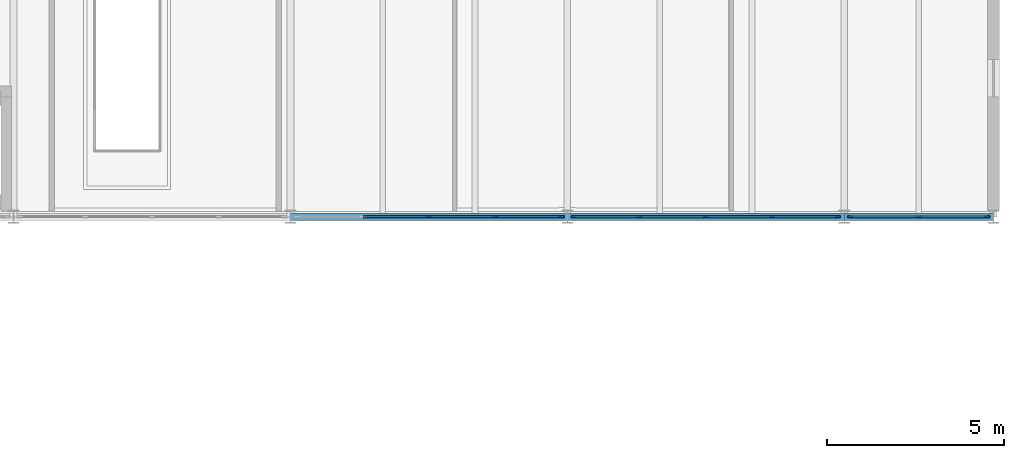
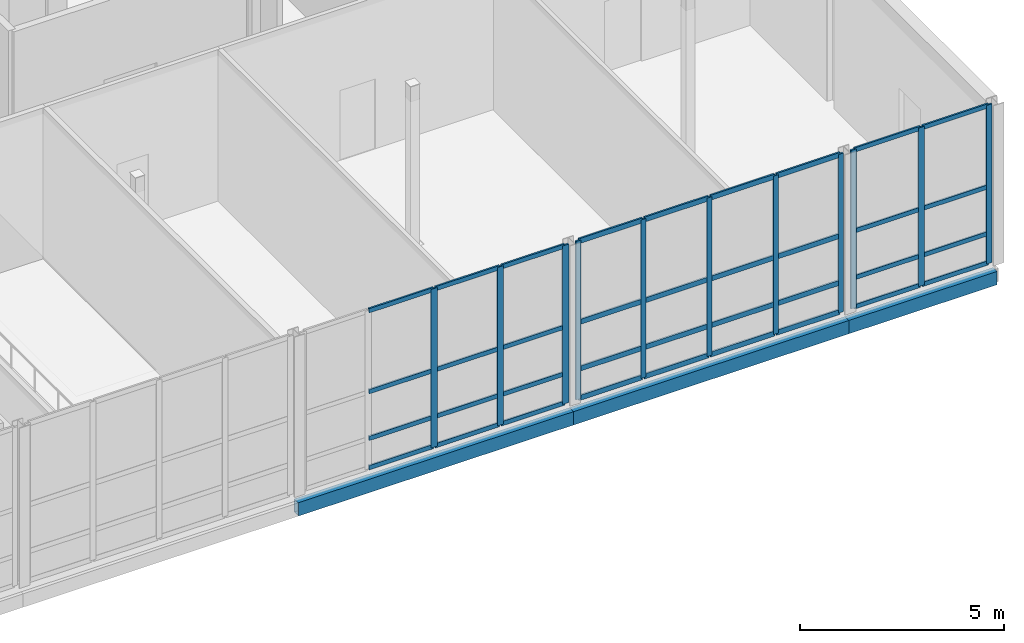
# One storey, part 64 of 138: 47 members, 3 beams, 3 elements without a shape of their own.
"""IFC4 building model written with IfcOpenShell, lengths in metres."""

import ifcopenshell
import ifcopenshell.guid

model = None  # the IFC model being written
_history = None  # IfcOwnerHistory: only IFC2X3 demands one
_inside = {}  # id of a spatial element -> (the spatial element, [elements in it])
_under = {}  # id of a project, library or spatial element -> (it, [spatial elements below it])
_declared = {}  # id of a project -> (the project, [libraries it declares])
_typed = {}  # id of a type object -> (the type object, [elements of that type])
_made_of = {}  # id of a material, layer set ... -> (it, [elements and type objects made of it])


def new_model(schema):
    """Start an empty IFC model of exactly this schema.

    Asked for "IFC4X3", IfcOpenShell would pick the latest addendum, in which some entities
    have other attributes; the version numbers below select the first issue.
    IFC2X3 requires an IfcOwnerHistory on every rooted entity: one is made here for all.
    """
    global model, _history
    if schema == "IFC4X3":
        model = ifcopenshell.file(schema_version=(4, 3, 0, 0))
    else:
        model = ifcopenshell.file(schema=schema)
    _inside.clear()
    _under.clear()
    _declared.clear()
    _typed.clear()
    _made_of.clear()
    _history = None
    if model.schema == "IFC2X3":
        org = make("IfcOrganization", Name="unknown")
        user = make(
            "IfcPersonAndOrganization",
            ThePerson=make("IfcPerson", FamilyName="unknown"),
            TheOrganization=org,
        )
        app = make(
            "IfcApplication",
            ApplicationDeveloper=org,
            Version="unknown",
            ApplicationFullName="unknown",
            ApplicationIdentifier="unknown",
        )
        _history = make(
            "IfcOwnerHistory",
            OwningUser=user,
            OwningApplication=app,
            ChangeAction="ADDED",
            CreationDate=0,
        )
    return model


def make(cls, **values):
    """One entity of the class cls with the attributes given. An attribute that is None is left unset."""
    return model.create_entity(
        cls, **{name: value for name, value in values.items() if value is not None}
    )


def rooted(cls, **values):
    """An entity with a GlobalId (a new one), such as an element, a storey or a relation."""
    return make(cls, GlobalId=ifcopenshell.guid.new(), OwnerHistory=_history, **values)


def si_unit(unit_type, name, prefix=None):
    """IfcSIUnit, for example si_unit("LENGTHUNIT", "METRE", prefix="MILLI")."""
    return make("IfcSIUnit", UnitType=unit_type, Prefix=prefix, Name=name)


def assignment(units):
    """IfcUnitAssignment: the units of a project."""
    return None if units is None else make("IfcUnitAssignment", Units=units)


def point(xyz):
    """IfcCartesianPoint."""
    return None if xyz is None else make("IfcCartesianPoint", Coordinates=xyz)


def direction(xyz):
    """IfcDirection."""
    return None if xyz is None else make("IfcDirection", DirectionRatios=xyz)


def frame(location, z_axis=None, x_axis=None):
    """IfcAxis2Placement3D, a coordinate frame: its origin and axes. An axis left out is left unset."""
    return make(
        "IfcAxis2Placement3D",
        Location=point(location),
        Axis=direction(z_axis),
        RefDirection=direction(x_axis),
    )


def frame_2d(location, x_axis=None):
    """IfcAxis2Placement2D, a coordinate frame in the plane: its origin and x axis."""
    return make(
        "IfcAxis2Placement2D", Location=point(location), RefDirection=direction(x_axis)
    )


def origin():
    """The frame at (0, 0, 0) with its axes left unset."""
    return frame((0.0, 0.0, 0.0))


def origin_2d():
    """The frame at (0, 0) in the plane with its x axis left unset."""
    return frame_2d((0.0, 0.0))


def place(relative_to, where):
    """IfcLocalPlacement: puts the frame where relative to a parent placement (None: the world)."""
    return make(
        "IfcLocalPlacement", PlacementRelTo=relative_to, RelativePlacement=where
    )


def context(
    kind, dimensions, precision=None, world=None, true_north=None, identifier=None
):
    """IfcGeometricRepresentationContext, for example the 3D "Model" context."""
    return make(
        "IfcGeometricRepresentationContext",
        ContextIdentifier=identifier,
        ContextType=kind,
        CoordinateSpaceDimension=dimensions,
        Precision=precision,
        WorldCoordinateSystem=world,
        TrueNorth=true_north,
    )


def subcontext(parent, identifier, kind, view, scale=None):
    """IfcGeometricRepresentationSubContext, for example "Body" below "Model"."""
    return make(
        "IfcGeometricRepresentationSubContext",
        ContextIdentifier=identifier,
        ContextType=kind,
        ParentContext=parent,
        TargetScale=scale,
        TargetView=view,
    )


def project(units=None, contexts=None):
    """IfcProject with its units and contexts."""
    return rooted(
        "IfcProject",
        Name="project",
        RepresentationContexts=contexts,
        UnitsInContext=assignment(units),
    )


def spatial(cls, under=None, at=None, **own):
    """A site, building, storey or space (cls), placed at a placement, below another one or the project."""
    s = rooted(cls, ObjectPlacement=at, **own)
    if under is not None:
        _under.setdefault(under.id(), (under, []))[1].append(s)
    return s


def profile(cls, at=None, kind="AREA", **sizes):
    """A parametric profile (cls). Its sizes go by their IFC names, for example OverallWidth=200.0."""
    return make(cls, ProfileType=kind, Position=at, **sizes)


def rectangle(**sizes):
    """IfcRectangleProfileDef."""
    return profile("IfcRectangleProfileDef", **sizes)


def hollow_rectangle(**sizes):
    """IfcRectangleHollowProfileDef."""
    return profile("IfcRectangleHollowProfileDef", **sizes)


def extrude(swept, where, along, depth):
    """IfcExtrudedAreaSolid: the profile swept, set in the frame where, extruded along a direction by depth."""
    return make(
        "IfcExtrudedAreaSolid",
        SweptArea=swept,
        Position=where,
        ExtrudedDirection=direction(along),
        Depth=depth,
    )


def shape(context_of_items, identifier, shape_type, items):
    """IfcShapeRepresentation: the items that make up one representation, for example the "Body"."""
    return make(
        "IfcShapeRepresentation",
        ContextOfItems=context_of_items,
        RepresentationIdentifier=identifier,
        RepresentationType=shape_type,
        Items=items,
    )


def material(Name=None, Category=None):
    """IfcMaterial."""
    return make("IfcMaterial", Name=Name, Category=Category)


def layer(
    of_material, thickness, ventilated=None, Name=None, Category=None, Priority=None
):
    """IfcMaterialLayer: one layer of a wall or slab, of a material (None: an air gap)."""
    return make(
        "IfcMaterialLayer",
        Material=of_material,
        LayerThickness=thickness,
        IsVentilated=ventilated,
        Name=Name,
        Category=Category,
        Priority=Priority,
    )


def layer_set(layers, Name=None):
    """IfcMaterialLayerSet."""
    return make("IfcMaterialLayerSet", MaterialLayers=layers, LayerSetName=Name)


def material_profile(
    of_material, cross_section, Name=None, Category=None, Priority=None
):
    """IfcMaterialProfile: a cross section and its material."""
    return make(
        "IfcMaterialProfile",
        Name=Name,
        Material=of_material,
        Profile=cross_section,
        Priority=Priority,
        Category=Category,
    )


def profile_set(profiles, Name=None, composite=None):
    """IfcMaterialProfileSet."""
    return make(
        "IfcMaterialProfileSet",
        Name=Name,
        MaterialProfiles=profiles,
        CompositeProfile=composite,
    )


def made_of(thing, what):
    """Note that an element or type object is made of a material, layer set ...; save() writes the relation."""
    if what is not None:
        _made_of.setdefault(what.id(), (what, []))[1].append(thing)
    return thing


def type_object(cls, material=None, **own):
    """A type object (cls), such as IfcWallType, which elements share."""
    return made_of(rooted(cls, **own), material)


def element(
    cls,
    number,
    at=None,
    inside=None,
    cuts=None,
    type_object=None,
    material=None,
    context=None,
    identifier="Body",
    shape_type=None,
    held_by="IfcProductDefinitionShape",
    body=None,
    shapes=None,
    **own,
):
    """One element of the class cls, such as IfcWall. Its Tag is "e" and its number.

    at: its placement. inside: the storey or other place that contains it. cuts: it is an
    opening in that element (IfcRelVoidsElement). A single representation is given by context,
    identifier, shape_type and body (its items); several are given by shapes. held_by: the class
    of the entity that holds the representations. save() writes the other relations.
    """
    e = rooted(cls, Tag="e%d" % number, ObjectPlacement=at, **own)
    if body is not None:
        shapes = [shape(context, identifier, shape_type, body)]
    if shapes is not None:
        e.Representation = make(held_by, Representations=shapes)
    if inside is not None:
        _inside.setdefault(inside.id(), (inside, []))[1].append(e)
    if cuts is not None:
        rooted(
            "IfcRelVoidsElement", RelatingBuildingElement=cuts, RelatedOpeningElement=e
        )
    if type_object is not None:
        _typed.setdefault(type_object.id(), (type_object, []))[1].append(e)
    return made_of(e, material)


def aggregate(whole, parts):
    """IfcRelAggregates: a whole, such as a stair, and the parts it consists of."""
    return rooted("IfcRelAggregates", RelatingObject=whole, RelatedObjects=parts)


def save(model, path):
    """Write the relations noted so far, then the file.

    IfcRelAggregates (storeys below a building ...), IfcRelContainedInSpatialStructure (elements
    in a storey), IfcRelDefinesByType, IfcRelAssociatesMaterial and IfcRelDeclares: one each for
    every whole, place, type object, material and project.
    """
    for whole, parts in _under.values():
        aggregate(whole, parts)
    for where, things in _inside.values():
        rooted(
            "IfcRelContainedInSpatialStructure",
            RelatedElements=things,
            RelatingStructure=where,
        )
    for kind, things in _typed.values():
        rooted("IfcRelDefinesByType", RelatedObjects=things, RelatingType=kind)
    for what, things in _made_of.values():
        rooted("IfcRelAssociatesMaterial", RelatedObjects=things, RelatingMaterial=what)
    for by, libraries in _declared.values():
        rooted("IfcRelDeclares", RelatingContext=by, RelatedDefinitions=libraries)
    model.write(path)


model = new_model("IFC4")

# Units and contexts
model_context = context("Model", 3, precision=1e-05, world=origin(), true_north=direction((0.0, 1.0)))
body_context = subcontext(model_context, "Body", "Model", "MODEL_VIEW")
ifc_project = project(units=[si_unit("LENGTHUNIT", "METRE"), si_unit("AREAUNIT", "SQUARE_METRE"), si_unit("VOLUMEUNIT", "CUBIC_METRE"), si_unit("PLANEANGLEUNIT", "RADIAN"), si_unit("MASSUNIT", "GRAM", prefix="KILO")], contexts=[model_context])

# Site, building, storey
site_placement = place(None, origin())
site = spatial("IfcSite", under=ifc_project, at=site_placement, CompositionType="ELEMENT")
building_placement = place(site_placement, origin())
building = spatial("IfcBuilding", under=site, at=building_placement, Name="Celorna Specialist Clinic", CompositionType="ELEMENT")
storey_placement = place(building_placement, frame((0.0, 0.0, 4.800048828125)))
storey = spatial("IfcBuildingStorey", under=building, at=storey_placement, Name="L01", CompositionType="ELEMENT", Elevation=4.800048828125)

# Beams
ifc_material_1 = material(Name="Steel S355", Category="steel")
ifc_material_profile_1 = material_profile(ifc_material_1, hollow_rectangle(XDim=0.199951171875, YDim=0.39990234375, WallThickness=0.011962890625, at=origin_2d()), Name="RHS 200x400x12")
ifc_profile_set_1 = profile_set([ifc_material_profile_1], Name="Steel S355")
beam_type = type_object("IfcBeamType", Name="BM-15", PredefinedType="SPANDREL", material=ifc_profile_set_1)
for number, where, z_axis, x_axis, name in (
    (1, (148.199951171875, 60.0, -0.4599609375), (1.0, 0.0, 0.0), (0.0, 1.0, 0.0), "Spandrel beam BM-15 #612"),
    (2, (156.0, 60.0, -0.4599609375), (1.0, 0.0, 0.0), (0.0, 1.0, 0.0), "Spandrel beam BM-15 #613"),
):
    element("IfcBeam", number, at=place(storey_placement, frame(where, z_axis=z_axis, x_axis=x_axis)), inside=storey, type_object=beam_type, Name=name, PredefinedType="SPANDREL", context=body_context, shape_type="SweptSolid", body=[
        extrude(hollow_rectangle(XDim=0.199951171875, YDim=0.39990234375, WallThickness=0.011962890625, at=origin_2d()), origin(), (0.0, 0.0, 1.0), 7.800048828125),
    ])
beam_placement = place(storey_placement, frame((163.800048828125, 60.0, -0.4599609375), z_axis=(1.0, 0.0, 0.0), x_axis=(0.0, 1.0, 0.0)))
element("IfcBeam", 3, at=beam_placement, inside=storey, type_object=beam_type, Name="Spandrel beam BM-15 #614", PredefinedType="SPANDREL", context=body_context, shape_type="SweptSolid", body=[
    extrude(hollow_rectangle(XDim=0.199951171875, YDim=0.39990234375, WallThickness=0.011962890625, at=origin_2d()), origin(), (0.0, 0.0, 1.0), 4.199951171875),
])

# Curtain wall, members
ifc_material_2 = material(Name="Thermally broken aluminium and solar-control glass curtain wall", Category="aluminium")
ifc_layer_1 = layer(ifc_material_2, 0.159912109375, Name="Thermally broken aluminium and solar-control glass curtain wall")
ifc_layer_set_1 = layer_set([ifc_layer_1], Name="Thermally broken aluminium and solar-control glass curtain wall")
curtain_wall_type_1 = type_object("IfcCurtainWallType", Name="CW-43", PredefinedType="NOTDEFINED", material=ifc_layer_set_1)
curtain_wall_1_placement = place(storey_placement, origin())
curtain_wall_1 = element("IfcCurtainWall", 4, at=curtain_wall_1_placement, inside=storey, type_object=curtain_wall_type_1, Name="Curtain wall CW-43 #79", PredefinedType="NOTDEFINED")
ifc_material_3 = material(Name="Anodized aluminium mullion", Category="aluminium")
ifc_material_profile_2 = material_profile(ifc_material_3, rectangle(XDim=0.050048828125, YDim=0.159912109375, at=origin_2d()), Name="ALU MULLION 50x160")
ifc_profile_set_2 = profile_set([ifc_material_profile_2], Name="Anodized aluminium mullion")
member_type_1 = type_object("IfcMemberType", Name="ML-01", PredefinedType="MULLION", material=ifc_profile_set_2)
member_1_placement = place(storey_placement, frame((167.821044921875, 60.0, 0.0), z_axis=(0.0, 0.0, 1.0), x_axis=(0.0, -1.0, 0.0)))
member_1 = element("IfcMember", 5, at=member_1_placement, type_object=member_type_1, Name="CW-43 mullion 1", PredefinedType="MULLION", context=body_context, shape_type="SweptSolid", body=[
    extrude(rectangle(XDim=0.050048828125, YDim=0.159912109375, at=origin_2d()), origin(), (0.0, 0.0, 1.0), 4.75),
])
member_2_placement = place(storey_placement, frame((165.89990234375, 60.0, 0.0), z_axis=(0.0, 0.0, 1.0), x_axis=(0.0, -1.0, 0.0)))
member_2 = element("IfcMember", 6, at=member_2_placement, type_object=member_type_1, Name="CW-43 mullion 2", PredefinedType="MULLION", context=body_context, shape_type="SweptSolid", body=[
    extrude(rectangle(XDim=0.050048828125, YDim=0.159912109375, at=origin_2d()), origin(), (0.0, 0.0, 1.0), 4.75),
])
member_3_placement = place(storey_placement, frame((163.97900390625, 60.0, 0.0), z_axis=(0.0, 0.0, 1.0), x_axis=(0.0, -1.0, 0.0)))
member_3 = element("IfcMember", 7, at=member_3_placement, type_object=member_type_1, Name="CW-43 mullion 3", PredefinedType="MULLION", context=body_context, shape_type="SweptSolid", body=[
    extrude(rectangle(XDim=0.050048828125, YDim=0.159912109375, at=origin_2d()), origin(), (0.0, 0.0, 1.0), 4.75),
])

ifc_layer_2 = layer(ifc_material_2, 0.159912109375, Name="Thermally broken aluminium and solar-control glass curtain wall")
ifc_layer_set_2 = layer_set([ifc_layer_2], Name="Thermally broken aluminium and solar-control glass curtain wall")
curtain_wall_type_2 = type_object("IfcCurtainWallType", Name="CW-42", PredefinedType="NOTDEFINED", material=ifc_layer_set_2)
curtain_wall_2_placement = place(storey_placement, origin())
curtain_wall_2 = element("IfcCurtainWall", 8, at=curtain_wall_2_placement, inside=storey, type_object=curtain_wall_type_2, Name="Curtain wall CW-42 #77", PredefinedType="NOTDEFINED")
ifc_material_profile_3 = material_profile(ifc_material_3, rectangle(XDim=0.050048828125, YDim=0.179931640625, at=origin_2d()), Name="ALU MULLION 50x180")
ifc_profile_set_3 = profile_set([ifc_material_profile_3], Name="Anodized aluminium mullion")
member_type_2 = type_object("IfcMemberType", Name="ML-02", PredefinedType="MULLION", material=ifc_profile_set_3)
member_4_placement = place(storey_placement, frame((155.821044921875, 60.0, 0.0), z_axis=(0.0, 0.0, 1.0), x_axis=(0.0, -1.0, 0.0)))
member_4 = element("IfcMember", 9, at=member_4_placement, type_object=member_type_2, Name="CW-42 mullion 1", PredefinedType="MULLION", context=body_context, shape_type="SweptSolid", body=[
    extrude(rectangle(XDim=0.050048828125, YDim=0.179931640625, at=origin_2d()), origin(), (0.0, 0.0, 1.0), 4.75),
])
member_5_placement = place(storey_placement, frame((153.972900390625, 60.0, 0.0), z_axis=(0.0, 0.0, 1.0), x_axis=(0.0, -1.0, 0.0)))
member_5 = element("IfcMember", 10, at=member_5_placement, type_object=member_type_2, Name="CW-42 mullion 2", PredefinedType="MULLION", context=body_context, shape_type="SweptSolid", body=[
    extrude(rectangle(XDim=0.050048828125, YDim=0.179931640625, at=origin_2d()), origin(), (0.0, 0.0, 1.0), 4.75),
])
member_6_placement = place(storey_placement, frame((152.10009765625, 60.0, 0.0), z_axis=(0.0, 0.0, 1.0), x_axis=(0.0, -1.0, 0.0)))
member_6 = element("IfcMember", 11, at=member_6_placement, type_object=member_type_2, Name="CW-42 mullion 3", PredefinedType="MULLION", context=body_context, shape_type="SweptSolid", body=[
    extrude(rectangle(XDim=0.050048828125, YDim=0.179931640625, at=origin_2d()), origin(), (0.0, 0.0, 1.0), 4.75),
])

ifc_layer_3 = layer(ifc_material_2, 0.159912109375, Name="Thermally broken aluminium and solar-control glass curtain wall")
ifc_layer_set_3 = layer_set([ifc_layer_3], Name="Thermally broken aluminium and solar-control glass curtain wall")
curtain_wall_type_3 = type_object("IfcCurtainWallType", Name="CW-40", PredefinedType="NOTDEFINED", material=ifc_layer_set_3)
curtain_wall_3_placement = place(storey_placement, origin())
curtain_wall_3 = element("IfcCurtainWall", 12, at=curtain_wall_3_placement, inside=storey, type_object=curtain_wall_type_3, Name="Curtain wall CW-40 #78", PredefinedType="NOTDEFINED")
ifc_material_profile_4 = material_profile(ifc_material_3, rectangle(XDim=0.050048828125, YDim=0.139892578125, at=origin_2d()), Name="ALU MULLION 50x140")
ifc_profile_set_4 = profile_set([ifc_material_profile_4], Name="Anodized aluminium mullion")
member_type_3 = type_object("IfcMemberType", Name="ML-03", PredefinedType="MULLION", material=ifc_profile_set_4)
member_7_placement = place(storey_placement, frame((163.62109375, 60.0, 0.0), z_axis=(0.0, 0.0, 1.0), x_axis=(0.0, -1.0, 0.0)))
member_7 = element("IfcMember", 13, at=member_7_placement, type_object=member_type_3, Name="CW-40 mullion 1", PredefinedType="MULLION", context=body_context, shape_type="SweptSolid", body=[
    extrude(rectangle(XDim=0.050048828125, YDim=0.139892578125, at=origin_2d()), origin(), (0.0, 0.0, 1.0), 4.75),
])
member_8_placement = place(storey_placement, frame((161.77294921875, 60.0, 0.0), z_axis=(0.0, 0.0, 1.0), x_axis=(0.0, -1.0, 0.0)))
member_8 = element("IfcMember", 14, at=member_8_placement, type_object=member_type_3, Name="CW-40 mullion 2", PredefinedType="MULLION", context=body_context, shape_type="SweptSolid", body=[
    extrude(rectangle(XDim=0.050048828125, YDim=0.139892578125, at=origin_2d()), origin(), (0.0, 0.0, 1.0), 4.75),
])
member_9_placement = place(storey_placement, frame((159.89990234375, 60.0, 0.0), z_axis=(0.0, 0.0, 1.0), x_axis=(0.0, -1.0, 0.0)))
member_9 = element("IfcMember", 15, at=member_9_placement, type_object=member_type_3, Name="CW-40 mullion 3", PredefinedType="MULLION", context=body_context, shape_type="SweptSolid", body=[
    extrude(rectangle(XDim=0.050048828125, YDim=0.139892578125, at=origin_2d()), origin(), (0.0, 0.0, 1.0), 4.75),
])
member_10_placement = place(storey_placement, frame((158.027099609375, 60.0, 0.0), z_axis=(0.0, 0.0, 1.0), x_axis=(0.0, -1.0, 0.0)))
member_10 = element("IfcMember", 16, at=member_10_placement, type_object=member_type_3, Name="CW-40 mullion 4", PredefinedType="MULLION", context=body_context, shape_type="SweptSolid", body=[
    extrude(rectangle(XDim=0.050048828125, YDim=0.139892578125, at=origin_2d()), origin(), (0.0, 0.0, 1.0), 4.75),
])
member_11_placement = place(storey_placement, frame((156.178955078125, 60.0, 0.0), z_axis=(0.0, 0.0, 1.0), x_axis=(0.0, -1.0, 0.0)))
member_11 = element("IfcMember", 17, at=member_11_placement, type_object=member_type_3, Name="CW-40 mullion 5", PredefinedType="MULLION", context=body_context, shape_type="SweptSolid", body=[
    extrude(rectangle(XDim=0.050048828125, YDim=0.139892578125, at=origin_2d()), origin(), (0.0, 0.0, 1.0), 4.75),
])

# Member
ifc_material_4 = material(Name="Anodized aluminium transom", Category="aluminium")
ifc_material_profile_5 = material_profile(ifc_material_4, rectangle(XDim=0.050048828125, YDim=0.1298828125, at=origin_2d()), Name="ALU TRANSOM 50x130")
ifc_profile_set_5 = profile_set([ifc_material_profile_5], Name="Anodized aluminium transom")
member_type_4 = type_object("IfcMemberType", Name="TR-01", PredefinedType="USERDEFINED", material=ifc_profile_set_5)
member_12_placement = place(storey_placement, frame((155.7958984375, 60.0, 0.02490234375), z_axis=(-1.0, 0.0, 0.0), x_axis=(0.0, -1.0, 0.0)))
member_12 = element("IfcMember", 18, at=member_12_placement, type_object=member_type_4, Name="CW-42 transom 1.1", ObjectType="TRANSOM", PredefinedType="USERDEFINED", context=body_context, shape_type="SweptSolid", body=[
    extrude(rectangle(XDim=0.050048828125, YDim=0.1298828125, at=origin_2d()), origin(), (0.0, 0.0, 1.0), 1.7978515625),
])

member_13_placement = place(storey_placement, frame((155.7958984375, 60.0, 0.89990234375), z_axis=(-1.0, 0.0, 0.0), x_axis=(0.0, -1.0, 0.0)))
member_13 = element("IfcMember", 19, at=member_13_placement, type_object=member_type_4, Name="CW-42 transom 1.2", ObjectType="TRANSOM", PredefinedType="USERDEFINED", context=body_context, shape_type="SweptSolid", body=[
    extrude(rectangle(XDim=0.050048828125, YDim=0.1298828125, at=origin_2d()), origin(), (0.0, 0.0, 1.0), 1.7978515625),
])

member_14_placement = place(storey_placement, frame((155.7958984375, 60.0, 2.300048828125), z_axis=(-1.0, 0.0, 0.0), x_axis=(0.0, -1.0, 0.0)))
member_14 = element("IfcMember", 20, at=member_14_placement, type_object=member_type_4, Name="CW-42 transom 1.3", ObjectType="TRANSOM", PredefinedType="USERDEFINED", context=body_context, shape_type="SweptSolid", body=[
    extrude(rectangle(XDim=0.050048828125, YDim=0.1298828125, at=origin_2d()), origin(), (0.0, 0.0, 1.0), 1.7978515625),
])

member_15_placement = place(storey_placement, frame((155.7958984375, 60.0, 4.724853515625), z_axis=(-1.0, 0.0, 0.0), x_axis=(0.0, -1.0, 0.0)))
member_15 = element("IfcMember", 21, at=member_15_placement, type_object=member_type_4, Name="CW-42 transom 1.4", ObjectType="TRANSOM", PredefinedType="USERDEFINED", context=body_context, shape_type="SweptSolid", body=[
    extrude(rectangle(XDim=0.050048828125, YDim=0.1298828125, at=origin_2d()), origin(), (0.0, 0.0, 1.0), 1.7978515625),
])

member_16_placement = place(storey_placement, frame((153.947998046875, 60.0, 0.02490234375), z_axis=(-1.0, 0.0, 0.0), x_axis=(0.0, -1.0, 0.0)))
member_16 = element("IfcMember", 22, at=member_16_placement, type_object=member_type_4, Name="CW-42 transom 2.1", ObjectType="TRANSOM", PredefinedType="USERDEFINED", context=body_context, shape_type="SweptSolid", body=[
    extrude(rectangle(XDim=0.050048828125, YDim=0.1298828125, at=origin_2d()), origin(), (0.0, 0.0, 1.0), 1.822998046875),
])

member_17_placement = place(storey_placement, frame((153.947998046875, 60.0, 0.89990234375), z_axis=(-1.0, 0.0, 0.0), x_axis=(0.0, -1.0, 0.0)))
member_17 = element("IfcMember", 23, at=member_17_placement, type_object=member_type_4, Name="CW-42 transom 2.2", ObjectType="TRANSOM", PredefinedType="USERDEFINED", context=body_context, shape_type="SweptSolid", body=[
    extrude(rectangle(XDim=0.050048828125, YDim=0.1298828125, at=origin_2d()), origin(), (0.0, 0.0, 1.0), 1.822998046875),
])

member_18_placement = place(storey_placement, frame((153.947998046875, 60.0, 2.300048828125), z_axis=(-1.0, 0.0, 0.0), x_axis=(0.0, -1.0, 0.0)))
member_18 = element("IfcMember", 24, at=member_18_placement, type_object=member_type_4, Name="CW-42 transom 2.3", ObjectType="TRANSOM", PredefinedType="USERDEFINED", context=body_context, shape_type="SweptSolid", body=[
    extrude(rectangle(XDim=0.050048828125, YDim=0.1298828125, at=origin_2d()), origin(), (0.0, 0.0, 1.0), 1.822998046875),
])

member_19_placement = place(storey_placement, frame((153.947998046875, 60.0, 4.724853515625), z_axis=(-1.0, 0.0, 0.0), x_axis=(0.0, -1.0, 0.0)))
member_19 = element("IfcMember", 25, at=member_19_placement, type_object=member_type_4, Name="CW-42 transom 2.4", ObjectType="TRANSOM", PredefinedType="USERDEFINED", context=body_context, shape_type="SweptSolid", body=[
    extrude(rectangle(XDim=0.050048828125, YDim=0.1298828125, at=origin_2d()), origin(), (0.0, 0.0, 1.0), 1.822998046875),
])

member_20_placement = place(storey_placement, frame((152.074951171875, 60.0, 0.02490234375), z_axis=(-1.0, 0.0, 0.0), x_axis=(0.0, -1.0, 0.0)))
member_20 = element("IfcMember", 26, at=member_20_placement, type_object=member_type_4, Name="CW-42 transom 3.1", ObjectType="TRANSOM", PredefinedType="USERDEFINED", context=body_context, shape_type="SweptSolid", body=[
    extrude(rectangle(XDim=0.050048828125, YDim=0.1298828125, at=origin_2d()), origin(), (0.0, 0.0, 1.0), 1.822998046875),
])

member_21_placement = place(storey_placement, frame((152.074951171875, 60.0, 0.89990234375), z_axis=(-1.0, 0.0, 0.0), x_axis=(0.0, -1.0, 0.0)))
member_21 = element("IfcMember", 27, at=member_21_placement, type_object=member_type_4, Name="CW-42 transom 3.2", ObjectType="TRANSOM", PredefinedType="USERDEFINED", context=body_context, shape_type="SweptSolid", body=[
    extrude(rectangle(XDim=0.050048828125, YDim=0.1298828125, at=origin_2d()), origin(), (0.0, 0.0, 1.0), 1.822998046875),
])

member_22_placement = place(storey_placement, frame((152.074951171875, 60.0, 2.300048828125), z_axis=(-1.0, 0.0, 0.0), x_axis=(0.0, -1.0, 0.0)))
member_22 = element("IfcMember", 28, at=member_22_placement, type_object=member_type_4, Name="CW-42 transom 3.3", ObjectType="TRANSOM", PredefinedType="USERDEFINED", context=body_context, shape_type="SweptSolid", body=[
    extrude(rectangle(XDim=0.050048828125, YDim=0.1298828125, at=origin_2d()), origin(), (0.0, 0.0, 1.0), 1.822998046875),
])

member_23_placement = place(storey_placement, frame((152.074951171875, 60.0, 4.724853515625), z_axis=(-1.0, 0.0, 0.0), x_axis=(0.0, -1.0, 0.0)))
member_23 = element("IfcMember", 29, at=member_23_placement, type_object=member_type_4, Name="CW-42 transom 3.4", ObjectType="TRANSOM", PredefinedType="USERDEFINED", context=body_context, shape_type="SweptSolid", body=[
    extrude(rectangle(XDim=0.050048828125, YDim=0.1298828125, at=origin_2d()), origin(), (0.0, 0.0, 1.0), 1.822998046875),
])

aggregate(curtain_wall_2, [member_4, member_5, member_6, member_12, member_13, member_14, member_15, member_16, member_17, member_18, member_19, member_20, member_21, member_22, member_23])

member_24_placement = place(storey_placement, frame((167.7958984375, 60.0, 0.02490234375), z_axis=(-1.0, 0.0, 0.0), x_axis=(0.0, -1.0, 0.0)))
member_24 = element("IfcMember", 30, at=member_24_placement, type_object=member_type_4, Name="CW-43 transom 1.1", ObjectType="TRANSOM", PredefinedType="USERDEFINED", context=body_context, shape_type="SweptSolid", body=[
    extrude(rectangle(XDim=0.050048828125, YDim=0.1298828125, at=origin_2d()), origin(), (0.0, 0.0, 1.0), 1.870849609375),
])

member_25_placement = place(storey_placement, frame((167.7958984375, 60.0, 0.89990234375), z_axis=(-1.0, 0.0, 0.0), x_axis=(0.0, -1.0, 0.0)))
member_25 = element("IfcMember", 31, at=member_25_placement, type_object=member_type_4, Name="CW-43 transom 1.2", ObjectType="TRANSOM", PredefinedType="USERDEFINED", context=body_context, shape_type="SweptSolid", body=[
    extrude(rectangle(XDim=0.050048828125, YDim=0.1298828125, at=origin_2d()), origin(), (0.0, 0.0, 1.0), 1.870849609375),
])

member_26_placement = place(storey_placement, frame((167.7958984375, 60.0, 2.300048828125), z_axis=(-1.0, 0.0, 0.0), x_axis=(0.0, -1.0, 0.0)))
member_26 = element("IfcMember", 32, at=member_26_placement, type_object=member_type_4, Name="CW-43 transom 1.3", ObjectType="TRANSOM", PredefinedType="USERDEFINED", context=body_context, shape_type="SweptSolid", body=[
    extrude(rectangle(XDim=0.050048828125, YDim=0.1298828125, at=origin_2d()), origin(), (0.0, 0.0, 1.0), 1.870849609375),
])

member_27_placement = place(storey_placement, frame((167.7958984375, 60.0, 4.724853515625), z_axis=(-1.0, 0.0, 0.0), x_axis=(0.0, -1.0, 0.0)))
member_27 = element("IfcMember", 33, at=member_27_placement, type_object=member_type_4, Name="CW-43 transom 1.4", ObjectType="TRANSOM", PredefinedType="USERDEFINED", context=body_context, shape_type="SweptSolid", body=[
    extrude(rectangle(XDim=0.050048828125, YDim=0.1298828125, at=origin_2d()), origin(), (0.0, 0.0, 1.0), 1.870849609375),
])

member_28_placement = place(storey_placement, frame((165.875, 60.0, 0.02490234375), z_axis=(-1.0, 0.0, 0.0), x_axis=(0.0, -1.0, 0.0)))
member_28 = element("IfcMember", 34, at=member_28_placement, type_object=member_type_4, Name="CW-43 transom 2.1", ObjectType="TRANSOM", PredefinedType="USERDEFINED", context=body_context, shape_type="SweptSolid", body=[
    extrude(rectangle(XDim=0.050048828125, YDim=0.1298828125, at=origin_2d()), origin(), (0.0, 0.0, 1.0), 1.87109375),
])

member_29_placement = place(storey_placement, frame((165.875, 60.0, 0.89990234375), z_axis=(-1.0, 0.0, 0.0), x_axis=(0.0, -1.0, 0.0)))
member_29 = element("IfcMember", 35, at=member_29_placement, type_object=member_type_4, Name="CW-43 transom 2.2", ObjectType="TRANSOM", PredefinedType="USERDEFINED", context=body_context, shape_type="SweptSolid", body=[
    extrude(rectangle(XDim=0.050048828125, YDim=0.1298828125, at=origin_2d()), origin(), (0.0, 0.0, 1.0), 1.87109375),
])

member_30_placement = place(storey_placement, frame((165.875, 60.0, 2.300048828125), z_axis=(-1.0, 0.0, 0.0), x_axis=(0.0, -1.0, 0.0)))
member_30 = element("IfcMember", 36, at=member_30_placement, type_object=member_type_4, Name="CW-43 transom 2.3", ObjectType="TRANSOM", PredefinedType="USERDEFINED", context=body_context, shape_type="SweptSolid", body=[
    extrude(rectangle(XDim=0.050048828125, YDim=0.1298828125, at=origin_2d()), origin(), (0.0, 0.0, 1.0), 1.87109375),
])

member_31_placement = place(storey_placement, frame((165.875, 60.0, 4.724853515625), z_axis=(-1.0, 0.0, 0.0), x_axis=(0.0, -1.0, 0.0)))
member_31 = element("IfcMember", 37, at=member_31_placement, type_object=member_type_4, Name="CW-43 transom 2.4", ObjectType="TRANSOM", PredefinedType="USERDEFINED", context=body_context, shape_type="SweptSolid", body=[
    extrude(rectangle(XDim=0.050048828125, YDim=0.1298828125, at=origin_2d()), origin(), (0.0, 0.0, 1.0), 1.87109375),
])

aggregate(curtain_wall_1, [member_1, member_2, member_3, member_24, member_25, member_26, member_27, member_28, member_29, member_30, member_31])

ifc_material_profile_6 = material_profile(ifc_material_4, rectangle(XDim=0.050048828125, YDim=0.14990234375, at=origin_2d()), Name="ALU TRANSOM 50x150")
ifc_profile_set_6 = profile_set([ifc_material_profile_6], Name="Anodized aluminium transom")
member_type_5 = type_object("IfcMemberType", Name="TR-02", PredefinedType="USERDEFINED", material=ifc_profile_set_6)
member_32_placement = place(storey_placement, frame((163.595947265625, 60.0, 0.02490234375), z_axis=(-1.0, 0.0, 0.0), x_axis=(0.0, -1.0, 0.0)))
member_32 = element("IfcMember", 38, at=member_32_placement, type_object=member_type_5, Name="CW-40 transom 1.1", ObjectType="TRANSOM", PredefinedType="USERDEFINED", context=body_context, shape_type="SweptSolid", body=[
    extrude(rectangle(XDim=0.050048828125, YDim=0.14990234375, at=origin_2d()), origin(), (0.0, 0.0, 1.0), 1.7978515625),
])

member_33_placement = place(storey_placement, frame((163.595947265625, 60.0, 0.89990234375), z_axis=(-1.0, 0.0, 0.0), x_axis=(0.0, -1.0, 0.0)))
member_33 = element("IfcMember", 39, at=member_33_placement, type_object=member_type_5, Name="CW-40 transom 1.2", ObjectType="TRANSOM", PredefinedType="USERDEFINED", context=body_context, shape_type="SweptSolid", body=[
    extrude(rectangle(XDim=0.050048828125, YDim=0.14990234375, at=origin_2d()), origin(), (0.0, 0.0, 1.0), 1.7978515625),
])

member_34_placement = place(storey_placement, frame((163.595947265625, 60.0, 2.300048828125), z_axis=(-1.0, 0.0, 0.0), x_axis=(0.0, -1.0, 0.0)))
member_34 = element("IfcMember", 40, at=member_34_placement, type_object=member_type_5, Name="CW-40 transom 1.3", ObjectType="TRANSOM", PredefinedType="USERDEFINED", context=body_context, shape_type="SweptSolid", body=[
    extrude(rectangle(XDim=0.050048828125, YDim=0.14990234375, at=origin_2d()), origin(), (0.0, 0.0, 1.0), 1.7978515625),
])

member_35_placement = place(storey_placement, frame((163.595947265625, 60.0, 4.724853515625), z_axis=(-1.0, 0.0, 0.0), x_axis=(0.0, -1.0, 0.0)))
member_35 = element("IfcMember", 41, at=member_35_placement, type_object=member_type_5, Name="CW-40 transom 1.4", ObjectType="TRANSOM", PredefinedType="USERDEFINED", context=body_context, shape_type="SweptSolid", body=[
    extrude(rectangle(XDim=0.050048828125, YDim=0.14990234375, at=origin_2d()), origin(), (0.0, 0.0, 1.0), 1.7978515625),
])

member_36_placement = place(storey_placement, frame((161.748046875, 60.0, 0.02490234375), z_axis=(-1.0, 0.0, 0.0), x_axis=(0.0, -1.0, 0.0)))
member_36 = element("IfcMember", 42, at=member_36_placement, type_object=member_type_5, Name="CW-40 transom 2.1", ObjectType="TRANSOM", PredefinedType="USERDEFINED", context=body_context, shape_type="SweptSolid", body=[
    extrude(rectangle(XDim=0.050048828125, YDim=0.14990234375, at=origin_2d()), origin(), (0.0, 0.0, 1.0), 1.822998046875),
])

member_37_placement = place(storey_placement, frame((161.748046875, 60.0, 0.89990234375), z_axis=(-1.0, 0.0, 0.0), x_axis=(0.0, -1.0, 0.0)))
member_37 = element("IfcMember", 43, at=member_37_placement, type_object=member_type_5, Name="CW-40 transom 2.2", ObjectType="TRANSOM", PredefinedType="USERDEFINED", context=body_context, shape_type="SweptSolid", body=[
    extrude(rectangle(XDim=0.050048828125, YDim=0.14990234375, at=origin_2d()), origin(), (0.0, 0.0, 1.0), 1.822998046875),
])

member_38_placement = place(storey_placement, frame((161.748046875, 60.0, 2.300048828125), z_axis=(-1.0, 0.0, 0.0), x_axis=(0.0, -1.0, 0.0)))
member_38 = element("IfcMember", 44, at=member_38_placement, type_object=member_type_5, Name="CW-40 transom 2.3", ObjectType="TRANSOM", PredefinedType="USERDEFINED", context=body_context, shape_type="SweptSolid", body=[
    extrude(rectangle(XDim=0.050048828125, YDim=0.14990234375, at=origin_2d()), origin(), (0.0, 0.0, 1.0), 1.822998046875),
])

member_39_placement = place(storey_placement, frame((161.748046875, 60.0, 4.724853515625), z_axis=(-1.0, 0.0, 0.0), x_axis=(0.0, -1.0, 0.0)))
member_39 = element("IfcMember", 45, at=member_39_placement, type_object=member_type_5, Name="CW-40 transom 2.4", ObjectType="TRANSOM", PredefinedType="USERDEFINED", context=body_context, shape_type="SweptSolid", body=[
    extrude(rectangle(XDim=0.050048828125, YDim=0.14990234375, at=origin_2d()), origin(), (0.0, 0.0, 1.0), 1.822998046875),
])

member_40_placement = place(storey_placement, frame((159.875, 60.0, 0.02490234375), z_axis=(-1.0, 0.0, 0.0), x_axis=(0.0, -1.0, 0.0)))
member_40 = element("IfcMember", 46, at=member_40_placement, type_object=member_type_5, Name="CW-40 transom 3.1", ObjectType="TRANSOM", PredefinedType="USERDEFINED", context=body_context, shape_type="SweptSolid", body=[
    extrude(rectangle(XDim=0.050048828125, YDim=0.14990234375, at=origin_2d()), origin(), (0.0, 0.0, 1.0), 1.822998046875),
])

member_41_placement = place(storey_placement, frame((159.875, 60.0, 0.89990234375), z_axis=(-1.0, 0.0, 0.0), x_axis=(0.0, -1.0, 0.0)))
member_41 = element("IfcMember", 47, at=member_41_placement, type_object=member_type_5, Name="CW-40 transom 3.2", ObjectType="TRANSOM", PredefinedType="USERDEFINED", context=body_context, shape_type="SweptSolid", body=[
    extrude(rectangle(XDim=0.050048828125, YDim=0.14990234375, at=origin_2d()), origin(), (0.0, 0.0, 1.0), 1.822998046875),
])

member_42_placement = place(storey_placement, frame((159.875, 60.0, 2.300048828125), z_axis=(-1.0, 0.0, 0.0), x_axis=(0.0, -1.0, 0.0)))
member_42 = element("IfcMember", 48, at=member_42_placement, type_object=member_type_5, Name="CW-40 transom 3.3", ObjectType="TRANSOM", PredefinedType="USERDEFINED", context=body_context, shape_type="SweptSolid", body=[
    extrude(rectangle(XDim=0.050048828125, YDim=0.14990234375, at=origin_2d()), origin(), (0.0, 0.0, 1.0), 1.822998046875),
])

member_43_placement = place(storey_placement, frame((159.875, 60.0, 4.724853515625), z_axis=(-1.0, 0.0, 0.0), x_axis=(0.0, -1.0, 0.0)))
member_43 = element("IfcMember", 49, at=member_43_placement, type_object=member_type_5, Name="CW-40 transom 3.4", ObjectType="TRANSOM", PredefinedType="USERDEFINED", context=body_context, shape_type="SweptSolid", body=[
    extrude(rectangle(XDim=0.050048828125, YDim=0.14990234375, at=origin_2d()), origin(), (0.0, 0.0, 1.0), 1.822998046875),
])

member_44_placement = place(storey_placement, frame((158.001953125, 60.0, 0.02490234375), z_axis=(-1.0, 0.0, 0.0), x_axis=(0.0, -1.0, 0.0)))
member_44 = element("IfcMember", 50, at=member_44_placement, type_object=member_type_5, Name="CW-40 transom 4.1", ObjectType="TRANSOM", PredefinedType="USERDEFINED", context=body_context, shape_type="SweptSolid", body=[
    extrude(rectangle(XDim=0.050048828125, YDim=0.14990234375, at=origin_2d()), origin(), (0.0, 0.0, 1.0), 1.7978515625),
])

member_45_placement = place(storey_placement, frame((158.001953125, 60.0, 0.89990234375), z_axis=(-1.0, 0.0, 0.0), x_axis=(0.0, -1.0, 0.0)))
member_45 = element("IfcMember", 51, at=member_45_placement, type_object=member_type_5, Name="CW-40 transom 4.2", ObjectType="TRANSOM", PredefinedType="USERDEFINED", context=body_context, shape_type="SweptSolid", body=[
    extrude(rectangle(XDim=0.050048828125, YDim=0.14990234375, at=origin_2d()), origin(), (0.0, 0.0, 1.0), 1.7978515625),
])

member_46_placement = place(storey_placement, frame((158.001953125, 60.0, 2.300048828125), z_axis=(-1.0, 0.0, 0.0), x_axis=(0.0, -1.0, 0.0)))
member_46 = element("IfcMember", 52, at=member_46_placement, type_object=member_type_5, Name="CW-40 transom 4.3", ObjectType="TRANSOM", PredefinedType="USERDEFINED", context=body_context, shape_type="SweptSolid", body=[
    extrude(rectangle(XDim=0.050048828125, YDim=0.14990234375, at=origin_2d()), origin(), (0.0, 0.0, 1.0), 1.7978515625),
])

member_47_placement = place(storey_placement, frame((158.001953125, 60.0, 4.724853515625), z_axis=(-1.0, 0.0, 0.0), x_axis=(0.0, -1.0, 0.0)))
member_47 = element("IfcMember", 53, at=member_47_placement, type_object=member_type_5, Name="CW-40 transom 4.4", ObjectType="TRANSOM", PredefinedType="USERDEFINED", context=body_context, shape_type="SweptSolid", body=[
    extrude(rectangle(XDim=0.050048828125, YDim=0.14990234375, at=origin_2d()), origin(), (0.0, 0.0, 1.0), 1.7978515625),
])

aggregate(curtain_wall_3, [member_7, member_8, member_9, member_10, member_11, member_32, member_33, member_34, member_35, member_36, member_37, member_38, member_39, member_40, member_41, member_42, member_43, member_44, member_45, member_46, member_47])

save(model, "model.ifc")
